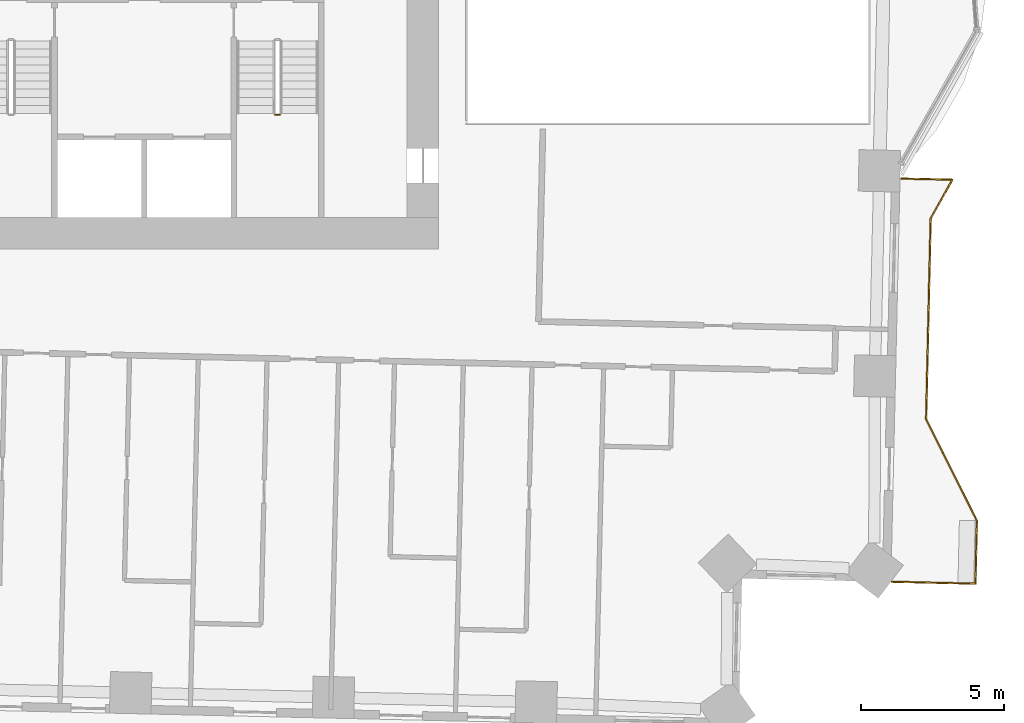
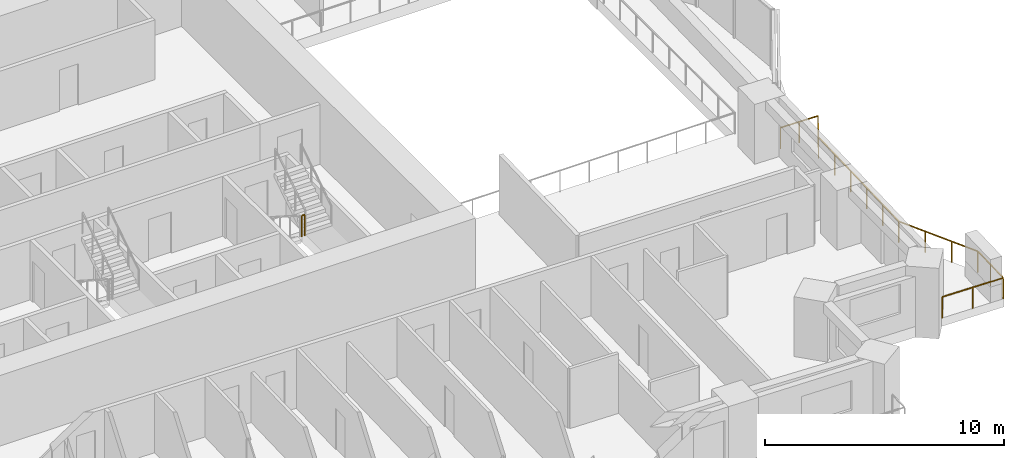
# One storey, part 16 of 18: 2 railings.
"""IFC4 building model written with IfcOpenShell, lengths in metres."""

from ifc_helpers import new_model, si_unit, direction, frame, origin, origin_2d, place, context, subcontext, project, spatial, rectangle, extrude, material, type_object, element, save


model = new_model("IFC4")

# Units and contexts
model_context = context("Model", 3, precision=1e-05, world=origin(), true_north=direction((0.0, 1.0)))
body_context = subcontext(model_context, "Body", "Model", "MODEL_VIEW")
ifc_project = project(units=[si_unit("LENGTHUNIT", "METRE"), si_unit("AREAUNIT", "SQUARE_METRE"), si_unit("VOLUMEUNIT", "CUBIC_METRE"), si_unit("PLANEANGLEUNIT", "RADIAN"), si_unit("MASSUNIT", "GRAM", prefix="KILO")], contexts=[model_context])

# Site, building, storey
site_placement = place(None, origin())
site = spatial("IfcSite", under=ifc_project, at=site_placement, CompositionType="ELEMENT")
building_placement = place(site_placement, origin())
building = spatial("IfcBuilding", under=site, at=building_placement, Name="Mangrove Gate Tower", CompositionType="ELEMENT")
storey_placement = place(building_placement, frame((0.0, 0.0, 71.10009765625)))
storey = spatial("IfcBuildingStorey", under=building, at=storey_placement, Name="L17", CompositionType="ELEMENT", Elevation=71.10009765625)

# Railings
ifc_material_1 = material(Name="Stainless steel grade 316 with laminated glass infill", Category="steel")
railing_type_1 = type_object("IfcRailingType", Name="Balcony guard 1100", PredefinedType="GUARDRAIL", material=ifc_material_1)
railing_1_placement = place(storey_placement, frame((30.718994140625, -23.51611328125, 0.0)))
element("IfcRailing", 1, at=railing_1_placement, inside=storey, type_object=railing_type_1, Name="GUARD L17 E1", PredefinedType="GUARDRAIL", context=body_context, shape_type="SweptSolid", body=[
    extrude(rectangle(XDim=0.048095703125, YDim=0.048095703125, at=origin_2d()), frame((0.0, 0.0, 1.076171875), z_axis=(0.999743521605, -0.022647097142, 0.0), x_axis=(0.022647097142, 0.999743521605, 0.0)), (0.0, 0.0, 1.0), 2.91064453125),
    extrude(rectangle(XDim=0.048095703125, YDim=0.048095703125, at=origin_2d()), frame((2.909912109375, -0.06591796875, 1.076171875), z_axis=(0.022754182687, 0.999741090068, 0.0), x_axis=(-0.999741090068, 0.022754182687, 0.0)), (0.0, 0.0, 1.0), 2.199462890625),
    extrude(rectangle(XDim=0.048095703125, YDim=0.048095703125, at=origin_2d()), frame((2.9599609375, 2.133056640625, 1.076171875), z_axis=(-0.447312255532, 0.894377854182, 0.0), x_axis=(-0.894377854182, -0.447312255532, 0.0)), (0.0, 0.0, 1.0), 3.959228515625),
    extrude(rectangle(XDim=0.048095703125, YDim=0.048095703125, at=origin_2d()), frame((1.18896484375, 5.674072265625, 1.076171875), z_axis=(0.022702393474, 0.999742267452, 0.0), x_axis=(-0.999742267452, 0.022702393474, 0.0)), (0.0, 0.0, 1.0), 7.000732421875),
    extrude(rectangle(XDim=0.048095703125, YDim=0.048095703125, at=origin_2d()), frame((1.347900390625, 12.673095703125, 1.076171875), z_axis=(0.487708700745, 0.873006427936, 0.0), x_axis=(-0.873006427936, 0.487708700745, 0.0)), (0.0, 0.0, 1.0), 1.554443359375),
    extrude(rectangle(XDim=0.048095703125, YDim=0.048095703125, at=origin_2d()), frame((2.10595703125, 14.030029296875, 1.076171875), z_axis=(-0.999736374059, 0.02296045261, 0.0), x_axis=(-0.02296045261, -0.999736374059, 0.0)), (0.0, 0.0, 1.0), 1.786376953125),
    extrude(rectangle(XDim=0.0419921875, YDim=0.0419921875, at=origin_2d()), origin(), (0.0, 0.0, 1.0), 1.052001953125),
    extrude(rectangle(XDim=0.0419921875, YDim=0.0419921875, at=origin_2d()), frame((1.455078125, -0.032958984375, 0.0)), (0.0, 0.0, 1.0), 1.052001953125),
    extrude(rectangle(XDim=0.0419921875, YDim=0.0419921875, at=origin_2d()), frame((2.909912109375, -0.06591796875, 0.0)), (0.0, 0.0, 1.0), 1.052001953125),
    extrude(rectangle(XDim=0.0419921875, YDim=0.0419921875, at=origin_2d()), frame((2.93505859375, 1.03369140625, 0.0)), (0.0, 0.0, 1.0), 1.052001953125),
    extrude(rectangle(XDim=0.0419921875, YDim=0.0419921875, at=origin_2d()), frame((2.9599609375, 2.133056640625, 0.0)), (0.0, 0.0, 1.0), 1.052001953125),
    extrude(rectangle(XDim=0.0419921875, YDim=0.0419921875, at=origin_2d()), frame((2.36962890625, 3.3134765625, 0.0)), (0.0, 0.0, 1.0), 1.052001953125),
    extrude(rectangle(XDim=0.0419921875, YDim=0.0419921875, at=origin_2d()), frame((1.779296875, 4.49365234375, 0.0)), (0.0, 0.0, 1.0), 1.052001953125),
    extrude(rectangle(XDim=0.0419921875, YDim=0.0419921875, at=origin_2d()), frame((1.18896484375, 5.674072265625, 0.0)), (0.0, 0.0, 1.0), 1.052001953125),
    extrude(rectangle(XDim=0.0419921875, YDim=0.0419921875, at=origin_2d()), frame((1.220703125, 7.073974609375, 0.0)), (0.0, 0.0, 1.0), 1.052001953125),
    extrude(rectangle(XDim=0.0419921875, YDim=0.0419921875, at=origin_2d()), frame((1.25244140625, 8.4736328125, 0.0)), (0.0, 0.0, 1.0), 1.052001953125),
    extrude(rectangle(XDim=0.0419921875, YDim=0.0419921875, at=origin_2d()), frame((1.284423828125, 9.87353515625, 0.0)), (0.0, 0.0, 1.0), 1.052001953125),
    extrude(rectangle(XDim=0.0419921875, YDim=0.0419921875, at=origin_2d()), frame((1.316162109375, 11.273193359375, 0.0)), (0.0, 0.0, 1.0), 1.052001953125),
    extrude(rectangle(XDim=0.0419921875, YDim=0.0419921875, at=origin_2d()), frame((1.347900390625, 12.673095703125, 0.0)), (0.0, 0.0, 1.0), 1.052001953125),
    extrude(rectangle(XDim=0.0419921875, YDim=0.0419921875, at=origin_2d()), frame((1.72705078125, 13.3515625, 0.0)), (0.0, 0.0, 1.0), 1.052001953125),
    extrude(rectangle(XDim=0.0419921875, YDim=0.0419921875, at=origin_2d()), frame((2.10595703125, 14.030029296875, 0.0)), (0.0, 0.0, 1.0), 1.052001953125),
    extrude(rectangle(XDim=0.0419921875, YDim=0.0419921875, at=origin_2d()), frame((1.212890625, 14.050537109375, 0.0)), (0.0, 0.0, 1.0), 1.052001953125),
    extrude(rectangle(XDim=0.0419921875, YDim=0.0419921875, at=origin_2d()), frame((0.320068359375, 14.071044921875, 0.0)), (0.0, 0.0, 1.0), 1.052001953125),
])
ifc_material_2 = material(Name="Stainless steel 316", Category="steel")
railing_type_2 = type_object("IfcRailingType", Name="Core stair guard 1100", PredefinedType="GUARDRAIL", material=ifc_material_2)
railing_2_placement = place(storey_placement, frame((9.199951171875, -7.219970703125, 1.7998046875)))
element("IfcRailing", 2, at=railing_2_placement, inside=storey, type_object=railing_type_2, Name="L17 ST3 stair guard 2", PredefinedType="GUARDRAIL", context=body_context, shape_type="SweptSolid", body=[
    extrude(rectangle(XDim=0.048095703125, YDim=0.048095703125, at=origin_2d()), frame((0.0, 0.0, 1.076171875), z_axis=(1.0, 0.0, 0.0), x_axis=(0.0, 1.0, 0.0)), (0.0, 0.0, 1.0), 0.150146484375),
    extrude(rectangle(XDim=0.0419921875, YDim=0.0419921875, at=origin_2d()), origin(), (0.0, 0.0, 1.0), 1.052001953125),
    extrude(rectangle(XDim=0.0419921875, YDim=0.0419921875, at=origin_2d()), frame((0.150146484375, 0.0, 0.0)), (0.0, 0.0, 1.0), 1.052001953125),
])

save(model, "model.ifc")
